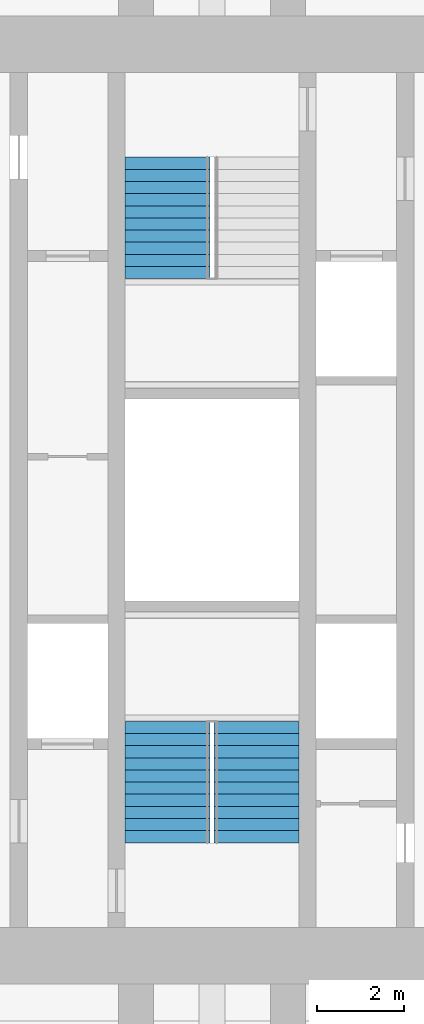
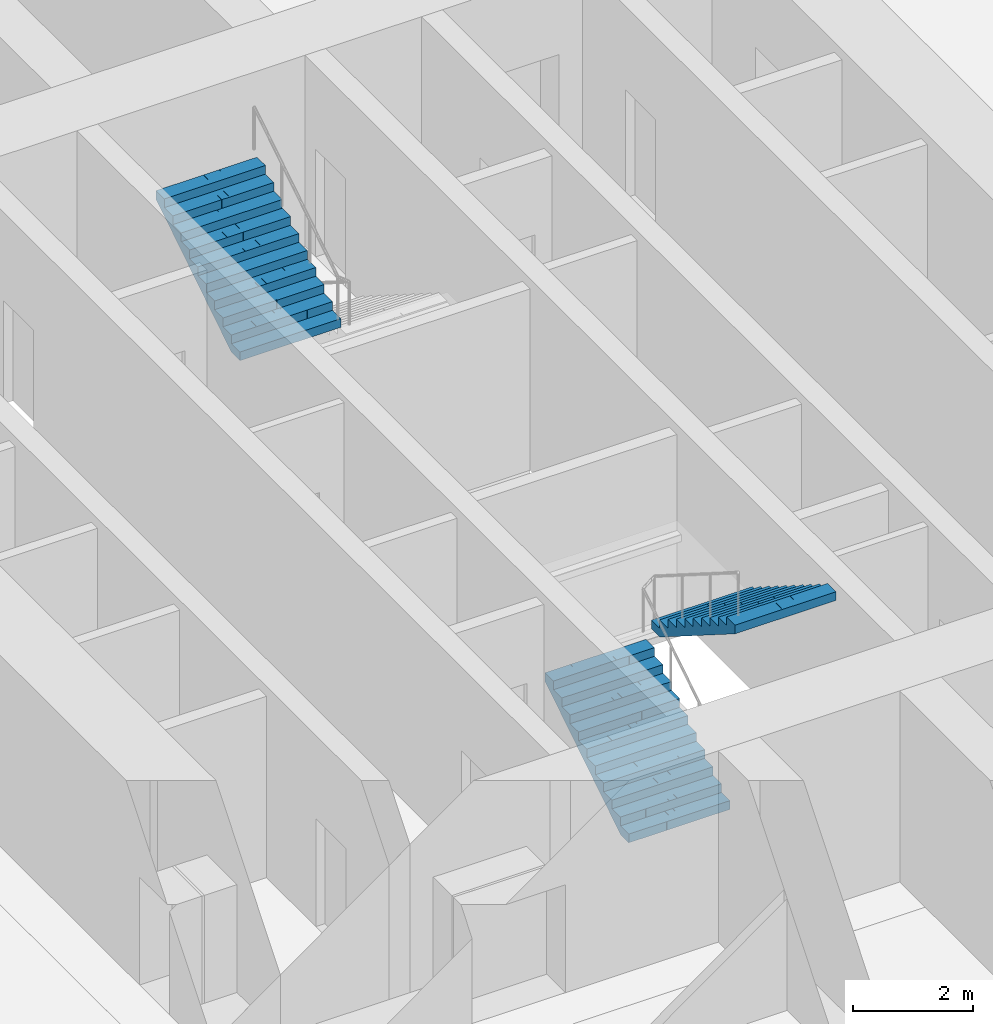
# One storey, part 20 of 22: 3 stair flights, 2 elements without a shape of their own.
"""IFC4 building model written with IfcOpenShell, lengths in metres."""

from ifc_helpers import new_model, si_unit, direction, frame, origin, place, context, subcontext, project, spatial, polyline, outline, extrude, material, type_object, element, aggregate, save


model = new_model("IFC4")

# Units and contexts
model_context = context("Model", 3, precision=1e-05, world=origin(), true_north=direction((0.0, 1.0)))
body_context = subcontext(model_context, "Body", "Model", "MODEL_VIEW")
ifc_project = project(units=[si_unit("LENGTHUNIT", "METRE"), si_unit("AREAUNIT", "SQUARE_METRE"), si_unit("VOLUMEUNIT", "CUBIC_METRE"), si_unit("PLANEANGLEUNIT", "RADIAN"), si_unit("MASSUNIT", "GRAM", prefix="KILO")], contexts=[model_context])

# Site, building, storey
site_placement = place(None, origin())
site = spatial("IfcSite", under=ifc_project, at=site_placement, CompositionType="ELEMENT")
building_placement = place(site_placement, origin())
building = spatial("IfcBuilding", under=site, at=building_placement, Name="Mizan Broadcast Tower", CompositionType="ELEMENT")
storey_placement = place(building_placement, frame((0.0, 0.0, 51.300048828125)))
storey = spatial("IfcBuildingStorey", under=building, at=storey_placement, Name="L09", CompositionType="ELEMENT", Elevation=51.300048828125)

# Stair, stair flights
ifc_material_1 = material(Name="Concrete C40/50", Category="concrete")
stair_type = type_object("IfcStairType", Name="EXIT STAIR", PredefinedType="HALF_TURN_STAIR", material=ifc_material_1)
stair_1_placement = place(storey_placement, origin())
stair_1 = element("IfcStair", 1, at=stair_1_placement, inside=storey, type_object=stair_type, Name="Stair A L09", PredefinedType="HALF_TURN_STAIR")
ifc_material_2 = material(Name="Concrete C40/50", Category="concrete")
stair_flight_type = type_object("IfcStairFlightType", Name="EXIT STAIR FLIGHT", PredefinedType="STRAIGHT", material=ifc_material_2)
stair_flight_1_placement = place(storey_placement, frame((-1.02490234375, -7.89990234375, 0.0), z_axis=(0.0, 0.0, 1.0), x_axis=(0.0, 1.0, 0.0)))
stair_flight_1 = element("IfcStairFlight", 2, at=stair_flight_1_placement, type_object=stair_flight_type, Name="A flight 1", NumberOfRisers=11, NumberOfTreads=10, PredefinedType="STRAIGHT", RiserHeight=0.177272727, TreadLength=0.28, context=body_context, shape_type="SweptSolid", body=[
    extrude(outline(polyline([(0.0, 0.0), (0.0, 0.17724609375), (0.280029296875, 0.17724609375), (0.280029296875, 0.3544921875), (0.56005859375, 0.3544921875), (0.56005859375, 0.53173828125), (0.840087890625, 0.53173828125), (0.840087890625, 0.708984375), (1.1201171875, 0.708984375), (1.1201171875, 0.886474609375), (1.39990234375, 0.886474609375), (1.39990234375, 1.063720703125), (1.679931640625, 1.063720703125), (1.679931640625, 1.240966796875), (1.9599609375, 1.240966796875), (1.9599609375, 1.418212890625), (2.239990234375, 1.418212890625), (2.239990234375, 1.595458984375), (2.52001953125, 1.595458984375), (2.52001953125, 1.772705078125), (2.800048828125, 1.772705078125), (2.800048828125, 1.949951171875), (2.800048828125, 1.59521484375), (0.2802734375, 0.0), (0.0, 0.0)])), frame((0.0, 0.97509765625, 0.0), z_axis=(0.0, -1.0, 0.0), x_axis=(1.0, 0.0, 0.0)), (0.0, 0.0, 1.0), 0.4873046875),
    extrude(outline(polyline([(0.0, 0.0), (0.0, 0.17724609375), (0.280029296875, 0.17724609375), (0.280029296875, 0.3544921875), (0.56005859375, 0.3544921875), (0.56005859375, 0.53173828125), (0.840087890625, 0.53173828125), (0.840087890625, 0.708984375), (1.1201171875, 0.708984375), (1.1201171875, 0.886474609375), (1.39990234375, 0.886474609375), (1.39990234375, 1.063720703125), (1.679931640625, 1.063720703125), (1.679931640625, 1.240966796875), (1.9599609375, 1.240966796875), (1.9599609375, 1.418212890625), (2.239990234375, 1.418212890625), (2.239990234375, 1.595458984375), (2.52001953125, 1.595458984375), (2.52001953125, 1.772705078125), (2.800048828125, 1.772705078125), (2.800048828125, 1.949951171875), (2.800048828125, 1.59521484375), (0.2802734375, 0.0), (0.0, 0.0)])), frame((0.0, 0.4873046875, 0.0), z_axis=(0.0, -1.0, 0.0), x_axis=(1.0, 0.0, 0.0)), (0.0, 0.0, 1.0), 0.2431640625),
    extrude(outline(polyline([(0.0, 0.0), (0.0, 0.17724609375), (0.280029296875, 0.17724609375), (0.280029296875, 0.3544921875), (0.56005859375, 0.3544921875), (0.56005859375, 0.53173828125), (0.840087890625, 0.53173828125), (0.840087890625, 0.708984375), (1.1201171875, 0.708984375), (1.1201171875, 0.886474609375), (1.39990234375, 0.886474609375), (1.39990234375, 1.063720703125), (1.679931640625, 1.063720703125), (1.679931640625, 1.240966796875), (1.9599609375, 1.240966796875), (1.9599609375, 1.418212890625), (2.239990234375, 1.418212890625), (2.239990234375, 1.595458984375), (2.52001953125, 1.595458984375), (2.52001953125, 1.772705078125), (2.800048828125, 1.772705078125), (2.800048828125, 1.949951171875), (2.800048828125, 1.59521484375), (0.2802734375, 0.0), (0.0, 0.0)])), frame((0.0, 0.24365234375, 0.0), z_axis=(0.0, -1.0, 0.0), x_axis=(1.0, 0.0, 0.0)), (0.0, 0.0, 1.0), 0.121337890625),
    extrude(outline(polyline([(0.0, 0.0), (0.0, 0.17724609375), (0.280029296875, 0.17724609375), (0.280029296875, 0.3544921875), (0.56005859375, 0.3544921875), (0.56005859375, 0.53173828125), (0.840087890625, 0.53173828125), (0.840087890625, 0.708984375), (1.1201171875, 0.708984375), (1.1201171875, 0.886474609375), (1.39990234375, 0.886474609375), (1.39990234375, 1.063720703125), (1.679931640625, 1.063720703125), (1.679931640625, 1.240966796875), (1.9599609375, 1.240966796875), (1.9599609375, 1.418212890625), (2.239990234375, 1.418212890625), (2.239990234375, 1.595458984375), (2.52001953125, 1.595458984375), (2.52001953125, 1.772705078125), (2.800048828125, 1.772705078125), (2.800048828125, 1.949951171875), (2.800048828125, 1.59521484375), (0.2802734375, 0.0), (0.0, 0.0)])), frame((0.0, 0.121826171875, 0.0), z_axis=(0.0, -1.0, 0.0), x_axis=(1.0, 0.0, 0.0)), (0.0, 0.0, 1.0), 0.060546875),
    extrude(outline(polyline([(0.0, 0.0), (0.0, 0.17724609375), (0.280029296875, 0.17724609375), (0.280029296875, 0.3544921875), (0.56005859375, 0.3544921875), (0.56005859375, 0.53173828125), (0.840087890625, 0.53173828125), (0.840087890625, 0.708984375), (1.1201171875, 0.708984375), (1.1201171875, 0.886474609375), (1.39990234375, 0.886474609375), (1.39990234375, 1.063720703125), (1.679931640625, 1.063720703125), (1.679931640625, 1.240966796875), (1.9599609375, 1.240966796875), (1.9599609375, 1.418212890625), (2.239990234375, 1.418212890625), (2.239990234375, 1.595458984375), (2.52001953125, 1.595458984375), (2.52001953125, 1.772705078125), (2.800048828125, 1.772705078125), (2.800048828125, 1.949951171875), (2.800048828125, 1.59521484375), (0.2802734375, 0.0), (0.0, 0.0)])), frame((0.0, 0.060791015625, 0.0), z_axis=(0.0, -1.0, 0.0), x_axis=(1.0, 0.0, 0.0)), (0.0, 0.0, 1.0), 0.030029296875),
    extrude(outline(polyline([(0.0, 0.0), (0.0, 0.17724609375), (0.280029296875, 0.17724609375), (0.280029296875, 0.3544921875), (0.56005859375, 0.3544921875), (0.56005859375, 0.53173828125), (0.840087890625, 0.53173828125), (0.840087890625, 0.708984375), (1.1201171875, 0.708984375), (1.1201171875, 0.886474609375), (1.39990234375, 0.886474609375), (1.39990234375, 1.063720703125), (1.679931640625, 1.063720703125), (1.679931640625, 1.240966796875), (1.9599609375, 1.240966796875), (1.9599609375, 1.418212890625), (2.239990234375, 1.418212890625), (2.239990234375, 1.595458984375), (2.52001953125, 1.595458984375), (2.52001953125, 1.772705078125), (2.800048828125, 1.772705078125), (2.800048828125, 1.949951171875), (2.800048828125, 1.59521484375), (0.2802734375, 0.0), (0.0, 0.0)])), frame((0.0, 0.0302734375, 0.0), z_axis=(0.0, -1.0, 0.0), x_axis=(1.0, 0.0, 0.0)), (0.0, 0.0, 1.0), 0.060302734375),
    extrude(outline(polyline([(0.0, 0.0), (0.0, 0.17724609375), (0.280029296875, 0.17724609375), (0.280029296875, 0.3544921875), (0.56005859375, 0.3544921875), (0.56005859375, 0.53173828125), (0.840087890625, 0.53173828125), (0.840087890625, 0.708984375), (1.1201171875, 0.708984375), (1.1201171875, 0.886474609375), (1.39990234375, 0.886474609375), (1.39990234375, 1.063720703125), (1.679931640625, 1.063720703125), (1.679931640625, 1.240966796875), (1.9599609375, 1.240966796875), (1.9599609375, 1.418212890625), (2.239990234375, 1.418212890625), (2.239990234375, 1.595458984375), (2.52001953125, 1.595458984375), (2.52001953125, 1.772705078125), (2.800048828125, 1.772705078125), (2.800048828125, 1.949951171875), (2.800048828125, 1.59521484375), (0.2802734375, 0.0), (0.0, 0.0)])), frame((0.0, -0.030517578125, 0.0), z_axis=(0.0, -1.0, 0.0), x_axis=(1.0, 0.0, 0.0)), (0.0, 0.0, 1.0), 0.030029296875),
    extrude(outline(polyline([(0.0, 0.0), (0.0, 0.17724609375), (0.280029296875, 0.17724609375), (0.280029296875, 0.3544921875), (0.56005859375, 0.3544921875), (0.56005859375, 0.53173828125), (0.840087890625, 0.53173828125), (0.840087890625, 0.708984375), (1.1201171875, 0.708984375), (1.1201171875, 0.886474609375), (1.39990234375, 0.886474609375), (1.39990234375, 1.063720703125), (1.679931640625, 1.063720703125), (1.679931640625, 1.240966796875), (1.9599609375, 1.240966796875), (1.9599609375, 1.418212890625), (2.239990234375, 1.418212890625), (2.239990234375, 1.595458984375), (2.52001953125, 1.595458984375), (2.52001953125, 1.772705078125), (2.800048828125, 1.772705078125), (2.800048828125, 1.949951171875), (2.800048828125, 1.59521484375), (0.2802734375, 0.0), (0.0, 0.0)])), frame((0.0, -0.06103515625, 0.0), z_axis=(0.0, -1.0, 0.0), x_axis=(1.0, 0.0, 0.0)), (0.0, 0.0, 1.0), 0.060546875),
    extrude(outline(polyline([(0.0, 0.0), (0.0, 0.17724609375), (0.280029296875, 0.17724609375), (0.280029296875, 0.3544921875), (0.56005859375, 0.3544921875), (0.56005859375, 0.53173828125), (0.840087890625, 0.53173828125), (0.840087890625, 0.708984375), (1.1201171875, 0.708984375), (1.1201171875, 0.886474609375), (1.39990234375, 0.886474609375), (1.39990234375, 1.063720703125), (1.679931640625, 1.063720703125), (1.679931640625, 1.240966796875), (1.9599609375, 1.240966796875), (1.9599609375, 1.418212890625), (2.239990234375, 1.418212890625), (2.239990234375, 1.595458984375), (2.52001953125, 1.595458984375), (2.52001953125, 1.772705078125), (2.800048828125, 1.772705078125), (2.800048828125, 1.949951171875), (2.800048828125, 1.59521484375), (0.2802734375, 0.0), (0.0, 0.0)])), frame((0.0, -0.1220703125, 0.0), z_axis=(0.0, -1.0, 0.0), x_axis=(1.0, 0.0, 0.0)), (0.0, 0.0, 1.0), 0.121337890625),
    extrude(outline(polyline([(0.0, 0.0), (0.0, 0.17724609375), (0.280029296875, 0.17724609375), (0.280029296875, 0.3544921875), (0.56005859375, 0.3544921875), (0.56005859375, 0.53173828125), (0.840087890625, 0.53173828125), (0.840087890625, 0.708984375), (1.1201171875, 0.708984375), (1.1201171875, 0.886474609375), (1.39990234375, 0.886474609375), (1.39990234375, 1.063720703125), (1.679931640625, 1.063720703125), (1.679931640625, 1.240966796875), (1.9599609375, 1.240966796875), (1.9599609375, 1.418212890625), (2.239990234375, 1.418212890625), (2.239990234375, 1.595458984375), (2.52001953125, 1.595458984375), (2.52001953125, 1.772705078125), (2.800048828125, 1.772705078125), (2.800048828125, 1.949951171875), (2.800048828125, 1.59521484375), (0.2802734375, 0.0), (0.0, 0.0)])), frame((0.0, -0.243896484375, 0.0), z_axis=(0.0, -1.0, 0.0), x_axis=(1.0, 0.0, 0.0)), (0.0, 0.0, 1.0), 0.2431640625),
    extrude(outline(polyline([(0.0, 0.0), (0.0, 0.17724609375), (0.280029296875, 0.17724609375), (0.280029296875, 0.3544921875), (0.56005859375, 0.3544921875), (0.56005859375, 0.53173828125), (0.840087890625, 0.53173828125), (0.840087890625, 0.708984375), (1.1201171875, 0.708984375), (1.1201171875, 0.886474609375), (1.39990234375, 0.886474609375), (1.39990234375, 1.063720703125), (1.679931640625, 1.063720703125), (1.679931640625, 1.240966796875), (1.9599609375, 1.240966796875), (1.9599609375, 1.418212890625), (2.239990234375, 1.418212890625), (2.239990234375, 1.595458984375), (2.52001953125, 1.595458984375), (2.52001953125, 1.772705078125), (2.800048828125, 1.772705078125), (2.800048828125, 1.949951171875), (2.800048828125, 1.59521484375), (0.2802734375, 0.0), (0.0, 0.0)])), frame((0.0, -0.487548828125, 0.0), z_axis=(0.0, -1.0, 0.0), x_axis=(1.0, 0.0, 0.0)), (0.0, 0.0, 1.0), 0.4873046875),
])
stair_flight_2_placement = place(storey_placement, frame((1.02490234375, -5.10009765625, 1.949951171875), z_axis=(0.0, 0.0, 1.0), x_axis=(0.0, -1.0, 0.0)))
stair_flight_2 = element("IfcStairFlight", 3, at=stair_flight_2_placement, type_object=stair_flight_type, Name="A flight 2", NumberOfRisers=11, NumberOfTreads=10, PredefinedType="STRAIGHT", RiserHeight=0.177272727, TreadLength=0.28, context=body_context, shape_type="SweptSolid", body=[
    extrude(outline(polyline([(0.0, 0.0), (0.0, 0.17724609375), (0.280029296875, 0.17724609375), (0.280029296875, 0.3544921875), (0.56005859375, 0.3544921875), (0.56005859375, 0.53173828125), (0.840087890625, 0.53173828125), (0.840087890625, 0.708984375), (1.1201171875, 0.708984375), (1.1201171875, 0.886474609375), (1.39990234375, 0.886474609375), (1.39990234375, 1.063720703125), (1.679931640625, 1.063720703125), (1.679931640625, 1.240966796875), (1.9599609375, 1.240966796875), (1.9599609375, 1.418212890625), (2.239990234375, 1.418212890625), (2.239990234375, 1.595458984375), (2.52001953125, 1.595458984375), (2.52001953125, 1.772705078125), (2.800048828125, 1.772705078125), (2.800048828125, 1.949951171875), (2.800048828125, 1.59521484375), (0.2802734375, 0.0), (0.0, 0.0)])), frame((0.0, 0.97509765625, 0.0), z_axis=(0.0, -1.0, 0.0), x_axis=(1.0, 0.0, 0.0)), (0.0, 0.0, 1.0), 0.4873046875),
    extrude(outline(polyline([(0.0, 0.0), (0.0, 0.17724609375), (0.280029296875, 0.17724609375), (0.280029296875, 0.3544921875), (0.56005859375, 0.3544921875), (0.56005859375, 0.53173828125), (0.840087890625, 0.53173828125), (0.840087890625, 0.708984375), (1.1201171875, 0.708984375), (1.1201171875, 0.886474609375), (1.39990234375, 0.886474609375), (1.39990234375, 1.063720703125), (1.679931640625, 1.063720703125), (1.679931640625, 1.240966796875), (1.9599609375, 1.240966796875), (1.9599609375, 1.418212890625), (2.239990234375, 1.418212890625), (2.239990234375, 1.595458984375), (2.52001953125, 1.595458984375), (2.52001953125, 1.772705078125), (2.800048828125, 1.772705078125), (2.800048828125, 1.949951171875), (2.800048828125, 1.59521484375), (0.2802734375, 0.0), (0.0, 0.0)])), frame((0.0, 0.4873046875, 0.0), z_axis=(0.0, -1.0, 0.0), x_axis=(1.0, 0.0, 0.0)), (0.0, 0.0, 1.0), 0.2431640625),
    extrude(outline(polyline([(0.0, 0.0), (0.0, 0.17724609375), (0.280029296875, 0.17724609375), (0.280029296875, 0.3544921875), (0.56005859375, 0.3544921875), (0.56005859375, 0.53173828125), (0.840087890625, 0.53173828125), (0.840087890625, 0.708984375), (1.1201171875, 0.708984375), (1.1201171875, 0.886474609375), (1.39990234375, 0.886474609375), (1.39990234375, 1.063720703125), (1.679931640625, 1.063720703125), (1.679931640625, 1.240966796875), (1.9599609375, 1.240966796875), (1.9599609375, 1.418212890625), (2.239990234375, 1.418212890625), (2.239990234375, 1.595458984375), (2.52001953125, 1.595458984375), (2.52001953125, 1.772705078125), (2.800048828125, 1.772705078125), (2.800048828125, 1.949951171875), (2.800048828125, 1.59521484375), (0.2802734375, 0.0), (0.0, 0.0)])), frame((0.0, 0.24365234375, 0.0), z_axis=(0.0, -1.0, 0.0), x_axis=(1.0, 0.0, 0.0)), (0.0, 0.0, 1.0), 0.121337890625),
    extrude(outline(polyline([(0.0, 0.0), (0.0, 0.17724609375), (0.280029296875, 0.17724609375), (0.280029296875, 0.3544921875), (0.56005859375, 0.3544921875), (0.56005859375, 0.53173828125), (0.840087890625, 0.53173828125), (0.840087890625, 0.708984375), (1.1201171875, 0.708984375), (1.1201171875, 0.886474609375), (1.39990234375, 0.886474609375), (1.39990234375, 1.063720703125), (1.679931640625, 1.063720703125), (1.679931640625, 1.240966796875), (1.9599609375, 1.240966796875), (1.9599609375, 1.418212890625), (2.239990234375, 1.418212890625), (2.239990234375, 1.595458984375), (2.52001953125, 1.595458984375), (2.52001953125, 1.772705078125), (2.800048828125, 1.772705078125), (2.800048828125, 1.949951171875), (2.800048828125, 1.59521484375), (0.2802734375, 0.0), (0.0, 0.0)])), frame((0.0, 0.121826171875, 0.0), z_axis=(0.0, -1.0, 0.0), x_axis=(1.0, 0.0, 0.0)), (0.0, 0.0, 1.0), 0.060546875),
    extrude(outline(polyline([(0.0, 0.0), (0.0, 0.17724609375), (0.280029296875, 0.17724609375), (0.280029296875, 0.3544921875), (0.56005859375, 0.3544921875), (0.56005859375, 0.53173828125), (0.840087890625, 0.53173828125), (0.840087890625, 0.708984375), (1.1201171875, 0.708984375), (1.1201171875, 0.886474609375), (1.39990234375, 0.886474609375), (1.39990234375, 1.063720703125), (1.679931640625, 1.063720703125), (1.679931640625, 1.240966796875), (1.9599609375, 1.240966796875), (1.9599609375, 1.418212890625), (2.239990234375, 1.418212890625), (2.239990234375, 1.595458984375), (2.52001953125, 1.595458984375), (2.52001953125, 1.772705078125), (2.800048828125, 1.772705078125), (2.800048828125, 1.949951171875), (2.800048828125, 1.59521484375), (0.2802734375, 0.0), (0.0, 0.0)])), frame((0.0, 0.060791015625, 0.0), z_axis=(0.0, -1.0, 0.0), x_axis=(1.0, 0.0, 0.0)), (0.0, 0.0, 1.0), 0.030029296875),
    extrude(outline(polyline([(0.0, 0.0), (0.0, 0.17724609375), (0.280029296875, 0.17724609375), (0.280029296875, 0.3544921875), (0.56005859375, 0.3544921875), (0.56005859375, 0.53173828125), (0.840087890625, 0.53173828125), (0.840087890625, 0.708984375), (1.1201171875, 0.708984375), (1.1201171875, 0.886474609375), (1.39990234375, 0.886474609375), (1.39990234375, 1.063720703125), (1.679931640625, 1.063720703125), (1.679931640625, 1.240966796875), (1.9599609375, 1.240966796875), (1.9599609375, 1.418212890625), (2.239990234375, 1.418212890625), (2.239990234375, 1.595458984375), (2.52001953125, 1.595458984375), (2.52001953125, 1.772705078125), (2.800048828125, 1.772705078125), (2.800048828125, 1.949951171875), (2.800048828125, 1.59521484375), (0.2802734375, 0.0), (0.0, 0.0)])), frame((0.0, 0.0302734375, 0.0), z_axis=(0.0, -1.0, 0.0), x_axis=(1.0, 0.0, 0.0)), (0.0, 0.0, 1.0), 0.060302734375),
    extrude(outline(polyline([(0.0, 0.0), (0.0, 0.17724609375), (0.280029296875, 0.17724609375), (0.280029296875, 0.3544921875), (0.56005859375, 0.3544921875), (0.56005859375, 0.53173828125), (0.840087890625, 0.53173828125), (0.840087890625, 0.708984375), (1.1201171875, 0.708984375), (1.1201171875, 0.886474609375), (1.39990234375, 0.886474609375), (1.39990234375, 1.063720703125), (1.679931640625, 1.063720703125), (1.679931640625, 1.240966796875), (1.9599609375, 1.240966796875), (1.9599609375, 1.418212890625), (2.239990234375, 1.418212890625), (2.239990234375, 1.595458984375), (2.52001953125, 1.595458984375), (2.52001953125, 1.772705078125), (2.800048828125, 1.772705078125), (2.800048828125, 1.949951171875), (2.800048828125, 1.59521484375), (0.2802734375, 0.0), (0.0, 0.0)])), frame((0.0, -0.030517578125, 0.0), z_axis=(0.0, -1.0, 0.0), x_axis=(1.0, 0.0, 0.0)), (0.0, 0.0, 1.0), 0.030029296875),
    extrude(outline(polyline([(0.0, 0.0), (0.0, 0.17724609375), (0.280029296875, 0.17724609375), (0.280029296875, 0.3544921875), (0.56005859375, 0.3544921875), (0.56005859375, 0.53173828125), (0.840087890625, 0.53173828125), (0.840087890625, 0.708984375), (1.1201171875, 0.708984375), (1.1201171875, 0.886474609375), (1.39990234375, 0.886474609375), (1.39990234375, 1.063720703125), (1.679931640625, 1.063720703125), (1.679931640625, 1.240966796875), (1.9599609375, 1.240966796875), (1.9599609375, 1.418212890625), (2.239990234375, 1.418212890625), (2.239990234375, 1.595458984375), (2.52001953125, 1.595458984375), (2.52001953125, 1.772705078125), (2.800048828125, 1.772705078125), (2.800048828125, 1.949951171875), (2.800048828125, 1.59521484375), (0.2802734375, 0.0), (0.0, 0.0)])), frame((0.0, -0.06103515625, 0.0), z_axis=(0.0, -1.0, 0.0), x_axis=(1.0, 0.0, 0.0)), (0.0, 0.0, 1.0), 0.060546875),
    extrude(outline(polyline([(0.0, 0.0), (0.0, 0.17724609375), (0.280029296875, 0.17724609375), (0.280029296875, 0.3544921875), (0.56005859375, 0.3544921875), (0.56005859375, 0.53173828125), (0.840087890625, 0.53173828125), (0.840087890625, 0.708984375), (1.1201171875, 0.708984375), (1.1201171875, 0.886474609375), (1.39990234375, 0.886474609375), (1.39990234375, 1.063720703125), (1.679931640625, 1.063720703125), (1.679931640625, 1.240966796875), (1.9599609375, 1.240966796875), (1.9599609375, 1.418212890625), (2.239990234375, 1.418212890625), (2.239990234375, 1.595458984375), (2.52001953125, 1.595458984375), (2.52001953125, 1.772705078125), (2.800048828125, 1.772705078125), (2.800048828125, 1.949951171875), (2.800048828125, 1.59521484375), (0.2802734375, 0.0), (0.0, 0.0)])), frame((0.0, -0.1220703125, 0.0), z_axis=(0.0, -1.0, 0.0), x_axis=(1.0, 0.0, 0.0)), (0.0, 0.0, 1.0), 0.121337890625),
    extrude(outline(polyline([(0.0, 0.0), (0.0, 0.17724609375), (0.280029296875, 0.17724609375), (0.280029296875, 0.3544921875), (0.56005859375, 0.3544921875), (0.56005859375, 0.53173828125), (0.840087890625, 0.53173828125), (0.840087890625, 0.708984375), (1.1201171875, 0.708984375), (1.1201171875, 0.886474609375), (1.39990234375, 0.886474609375), (1.39990234375, 1.063720703125), (1.679931640625, 1.063720703125), (1.679931640625, 1.240966796875), (1.9599609375, 1.240966796875), (1.9599609375, 1.418212890625), (2.239990234375, 1.418212890625), (2.239990234375, 1.595458984375), (2.52001953125, 1.595458984375), (2.52001953125, 1.772705078125), (2.800048828125, 1.772705078125), (2.800048828125, 1.949951171875), (2.800048828125, 1.59521484375), (0.2802734375, 0.0), (0.0, 0.0)])), frame((0.0, -0.243896484375, 0.0), z_axis=(0.0, -1.0, 0.0), x_axis=(1.0, 0.0, 0.0)), (0.0, 0.0, 1.0), 0.2431640625),
    extrude(outline(polyline([(0.0, 0.0), (0.0, 0.17724609375), (0.280029296875, 0.17724609375), (0.280029296875, 0.3544921875), (0.56005859375, 0.3544921875), (0.56005859375, 0.53173828125), (0.840087890625, 0.53173828125), (0.840087890625, 0.708984375), (1.1201171875, 0.708984375), (1.1201171875, 0.886474609375), (1.39990234375, 0.886474609375), (1.39990234375, 1.063720703125), (1.679931640625, 1.063720703125), (1.679931640625, 1.240966796875), (1.9599609375, 1.240966796875), (1.9599609375, 1.418212890625), (2.239990234375, 1.418212890625), (2.239990234375, 1.595458984375), (2.52001953125, 1.595458984375), (2.52001953125, 1.772705078125), (2.800048828125, 1.772705078125), (2.800048828125, 1.949951171875), (2.800048828125, 1.59521484375), (0.2802734375, 0.0), (0.0, 0.0)])), frame((0.0, -0.487548828125, 0.0), z_axis=(0.0, -1.0, 0.0), x_axis=(1.0, 0.0, 0.0)), (0.0, 0.0, 1.0), 0.4873046875),
])
aggregate(stair_1, [stair_flight_1, stair_flight_2])

# Stair, stair flight
stair_2_placement = place(storey_placement, origin())
stair_2 = element("IfcStair", 4, at=stair_2_placement, inside=storey, type_object=stair_type, Name="Stair B L09", PredefinedType="HALF_TURN_STAIR")
stair_flight_3_placement = place(storey_placement, frame((-1.02490234375, 5.10009765625, 1.949951171875), z_axis=(0.0, 0.0, 1.0), x_axis=(0.0, 1.0, 0.0)))
stair_flight_3 = element("IfcStairFlight", 5, at=stair_flight_3_placement, type_object=stair_flight_type, Name="B flight 2", NumberOfRisers=11, NumberOfTreads=10, PredefinedType="STRAIGHT", RiserHeight=0.177272727, TreadLength=0.28, context=body_context, shape_type="SweptSolid", body=[
    extrude(outline(polyline([(0.0, 0.0), (0.0, 0.17724609375), (0.280029296875, 0.17724609375), (0.280029296875, 0.3544921875), (0.56005859375, 0.3544921875), (0.56005859375, 0.53173828125), (0.840087890625, 0.53173828125), (0.840087890625, 0.708984375), (1.1201171875, 0.708984375), (1.1201171875, 0.886474609375), (1.39990234375, 0.886474609375), (1.39990234375, 1.063720703125), (1.679931640625, 1.063720703125), (1.679931640625, 1.240966796875), (1.9599609375, 1.240966796875), (1.9599609375, 1.418212890625), (2.239990234375, 1.418212890625), (2.239990234375, 1.595458984375), (2.52001953125, 1.595458984375), (2.52001953125, 1.772705078125), (2.800048828125, 1.772705078125), (2.800048828125, 1.949951171875), (2.800048828125, 1.59521484375), (0.2802734375, 0.0), (0.0, 0.0)])), frame((0.0, 0.97509765625, 0.0), z_axis=(0.0, -1.0, 0.0), x_axis=(1.0, 0.0, 0.0)), (0.0, 0.0, 1.0), 0.4873046875),
    extrude(outline(polyline([(0.0, 0.0), (0.0, 0.17724609375), (0.280029296875, 0.17724609375), (0.280029296875, 0.3544921875), (0.56005859375, 0.3544921875), (0.56005859375, 0.53173828125), (0.840087890625, 0.53173828125), (0.840087890625, 0.708984375), (1.1201171875, 0.708984375), (1.1201171875, 0.886474609375), (1.39990234375, 0.886474609375), (1.39990234375, 1.063720703125), (1.679931640625, 1.063720703125), (1.679931640625, 1.240966796875), (1.9599609375, 1.240966796875), (1.9599609375, 1.418212890625), (2.239990234375, 1.418212890625), (2.239990234375, 1.595458984375), (2.52001953125, 1.595458984375), (2.52001953125, 1.772705078125), (2.800048828125, 1.772705078125), (2.800048828125, 1.949951171875), (2.800048828125, 1.59521484375), (0.2802734375, 0.0), (0.0, 0.0)])), frame((0.0, 0.4873046875, 0.0), z_axis=(0.0, -1.0, 0.0), x_axis=(1.0, 0.0, 0.0)), (0.0, 0.0, 1.0), 0.2431640625),
    extrude(outline(polyline([(0.0, 0.0), (0.0, 0.17724609375), (0.280029296875, 0.17724609375), (0.280029296875, 0.3544921875), (0.56005859375, 0.3544921875), (0.56005859375, 0.53173828125), (0.840087890625, 0.53173828125), (0.840087890625, 0.708984375), (1.1201171875, 0.708984375), (1.1201171875, 0.886474609375), (1.39990234375, 0.886474609375), (1.39990234375, 1.063720703125), (1.679931640625, 1.063720703125), (1.679931640625, 1.240966796875), (1.9599609375, 1.240966796875), (1.9599609375, 1.418212890625), (2.239990234375, 1.418212890625), (2.239990234375, 1.595458984375), (2.52001953125, 1.595458984375), (2.52001953125, 1.772705078125), (2.800048828125, 1.772705078125), (2.800048828125, 1.949951171875), (2.800048828125, 1.59521484375), (0.2802734375, 0.0), (0.0, 0.0)])), frame((0.0, 0.24365234375, 0.0), z_axis=(0.0, -1.0, 0.0), x_axis=(1.0, 0.0, 0.0)), (0.0, 0.0, 1.0), 0.121337890625),
    extrude(outline(polyline([(0.0, 0.0), (0.0, 0.17724609375), (0.280029296875, 0.17724609375), (0.280029296875, 0.3544921875), (0.56005859375, 0.3544921875), (0.56005859375, 0.53173828125), (0.840087890625, 0.53173828125), (0.840087890625, 0.708984375), (1.1201171875, 0.708984375), (1.1201171875, 0.886474609375), (1.39990234375, 0.886474609375), (1.39990234375, 1.063720703125), (1.679931640625, 1.063720703125), (1.679931640625, 1.240966796875), (1.9599609375, 1.240966796875), (1.9599609375, 1.418212890625), (2.239990234375, 1.418212890625), (2.239990234375, 1.595458984375), (2.52001953125, 1.595458984375), (2.52001953125, 1.772705078125), (2.800048828125, 1.772705078125), (2.800048828125, 1.949951171875), (2.800048828125, 1.59521484375), (0.2802734375, 0.0), (0.0, 0.0)])), frame((0.0, 0.121826171875, 0.0), z_axis=(0.0, -1.0, 0.0), x_axis=(1.0, 0.0, 0.0)), (0.0, 0.0, 1.0), 0.060546875),
    extrude(outline(polyline([(0.0, 0.0), (0.0, 0.17724609375), (0.280029296875, 0.17724609375), (0.280029296875, 0.3544921875), (0.56005859375, 0.3544921875), (0.56005859375, 0.53173828125), (0.840087890625, 0.53173828125), (0.840087890625, 0.708984375), (1.1201171875, 0.708984375), (1.1201171875, 0.886474609375), (1.39990234375, 0.886474609375), (1.39990234375, 1.063720703125), (1.679931640625, 1.063720703125), (1.679931640625, 1.240966796875), (1.9599609375, 1.240966796875), (1.9599609375, 1.418212890625), (2.239990234375, 1.418212890625), (2.239990234375, 1.595458984375), (2.52001953125, 1.595458984375), (2.52001953125, 1.772705078125), (2.800048828125, 1.772705078125), (2.800048828125, 1.949951171875), (2.800048828125, 1.59521484375), (0.2802734375, 0.0), (0.0, 0.0)])), frame((0.0, 0.060791015625, 0.0), z_axis=(0.0, -1.0, 0.0), x_axis=(1.0, 0.0, 0.0)), (0.0, 0.0, 1.0), 0.030029296875),
    extrude(outline(polyline([(0.0, 0.0), (0.0, 0.17724609375), (0.280029296875, 0.17724609375), (0.280029296875, 0.3544921875), (0.56005859375, 0.3544921875), (0.56005859375, 0.53173828125), (0.840087890625, 0.53173828125), (0.840087890625, 0.708984375), (1.1201171875, 0.708984375), (1.1201171875, 0.886474609375), (1.39990234375, 0.886474609375), (1.39990234375, 1.063720703125), (1.679931640625, 1.063720703125), (1.679931640625, 1.240966796875), (1.9599609375, 1.240966796875), (1.9599609375, 1.418212890625), (2.239990234375, 1.418212890625), (2.239990234375, 1.595458984375), (2.52001953125, 1.595458984375), (2.52001953125, 1.772705078125), (2.800048828125, 1.772705078125), (2.800048828125, 1.949951171875), (2.800048828125, 1.59521484375), (0.2802734375, 0.0), (0.0, 0.0)])), frame((0.0, 0.0302734375, 0.0), z_axis=(0.0, -1.0, 0.0), x_axis=(1.0, 0.0, 0.0)), (0.0, 0.0, 1.0), 0.060302734375),
    extrude(outline(polyline([(0.0, 0.0), (0.0, 0.17724609375), (0.280029296875, 0.17724609375), (0.280029296875, 0.3544921875), (0.56005859375, 0.3544921875), (0.56005859375, 0.53173828125), (0.840087890625, 0.53173828125), (0.840087890625, 0.708984375), (1.1201171875, 0.708984375), (1.1201171875, 0.886474609375), (1.39990234375, 0.886474609375), (1.39990234375, 1.063720703125), (1.679931640625, 1.063720703125), (1.679931640625, 1.240966796875), (1.9599609375, 1.240966796875), (1.9599609375, 1.418212890625), (2.239990234375, 1.418212890625), (2.239990234375, 1.595458984375), (2.52001953125, 1.595458984375), (2.52001953125, 1.772705078125), (2.800048828125, 1.772705078125), (2.800048828125, 1.949951171875), (2.800048828125, 1.59521484375), (0.2802734375, 0.0), (0.0, 0.0)])), frame((0.0, -0.030517578125, 0.0), z_axis=(0.0, -1.0, 0.0), x_axis=(1.0, 0.0, 0.0)), (0.0, 0.0, 1.0), 0.030029296875),
    extrude(outline(polyline([(0.0, 0.0), (0.0, 0.17724609375), (0.280029296875, 0.17724609375), (0.280029296875, 0.3544921875), (0.56005859375, 0.3544921875), (0.56005859375, 0.53173828125), (0.840087890625, 0.53173828125), (0.840087890625, 0.708984375), (1.1201171875, 0.708984375), (1.1201171875, 0.886474609375), (1.39990234375, 0.886474609375), (1.39990234375, 1.063720703125), (1.679931640625, 1.063720703125), (1.679931640625, 1.240966796875), (1.9599609375, 1.240966796875), (1.9599609375, 1.418212890625), (2.239990234375, 1.418212890625), (2.239990234375, 1.595458984375), (2.52001953125, 1.595458984375), (2.52001953125, 1.772705078125), (2.800048828125, 1.772705078125), (2.800048828125, 1.949951171875), (2.800048828125, 1.59521484375), (0.2802734375, 0.0), (0.0, 0.0)])), frame((0.0, -0.06103515625, 0.0), z_axis=(0.0, -1.0, 0.0), x_axis=(1.0, 0.0, 0.0)), (0.0, 0.0, 1.0), 0.060546875),
    extrude(outline(polyline([(0.0, 0.0), (0.0, 0.17724609375), (0.280029296875, 0.17724609375), (0.280029296875, 0.3544921875), (0.56005859375, 0.3544921875), (0.56005859375, 0.53173828125), (0.840087890625, 0.53173828125), (0.840087890625, 0.708984375), (1.1201171875, 0.708984375), (1.1201171875, 0.886474609375), (1.39990234375, 0.886474609375), (1.39990234375, 1.063720703125), (1.679931640625, 1.063720703125), (1.679931640625, 1.240966796875), (1.9599609375, 1.240966796875), (1.9599609375, 1.418212890625), (2.239990234375, 1.418212890625), (2.239990234375, 1.595458984375), (2.52001953125, 1.595458984375), (2.52001953125, 1.772705078125), (2.800048828125, 1.772705078125), (2.800048828125, 1.949951171875), (2.800048828125, 1.59521484375), (0.2802734375, 0.0), (0.0, 0.0)])), frame((0.0, -0.1220703125, 0.0), z_axis=(0.0, -1.0, 0.0), x_axis=(1.0, 0.0, 0.0)), (0.0, 0.0, 1.0), 0.121337890625),
    extrude(outline(polyline([(0.0, 0.0), (0.0, 0.17724609375), (0.280029296875, 0.17724609375), (0.280029296875, 0.3544921875), (0.56005859375, 0.3544921875), (0.56005859375, 0.53173828125), (0.840087890625, 0.53173828125), (0.840087890625, 0.708984375), (1.1201171875, 0.708984375), (1.1201171875, 0.886474609375), (1.39990234375, 0.886474609375), (1.39990234375, 1.063720703125), (1.679931640625, 1.063720703125), (1.679931640625, 1.240966796875), (1.9599609375, 1.240966796875), (1.9599609375, 1.418212890625), (2.239990234375, 1.418212890625), (2.239990234375, 1.595458984375), (2.52001953125, 1.595458984375), (2.52001953125, 1.772705078125), (2.800048828125, 1.772705078125), (2.800048828125, 1.949951171875), (2.800048828125, 1.59521484375), (0.2802734375, 0.0), (0.0, 0.0)])), frame((0.0, -0.243896484375, 0.0), z_axis=(0.0, -1.0, 0.0), x_axis=(1.0, 0.0, 0.0)), (0.0, 0.0, 1.0), 0.2431640625),
    extrude(outline(polyline([(0.0, 0.0), (0.0, 0.17724609375), (0.280029296875, 0.17724609375), (0.280029296875, 0.3544921875), (0.56005859375, 0.3544921875), (0.56005859375, 0.53173828125), (0.840087890625, 0.53173828125), (0.840087890625, 0.708984375), (1.1201171875, 0.708984375), (1.1201171875, 0.886474609375), (1.39990234375, 0.886474609375), (1.39990234375, 1.063720703125), (1.679931640625, 1.063720703125), (1.679931640625, 1.240966796875), (1.9599609375, 1.240966796875), (1.9599609375, 1.418212890625), (2.239990234375, 1.418212890625), (2.239990234375, 1.595458984375), (2.52001953125, 1.595458984375), (2.52001953125, 1.772705078125), (2.800048828125, 1.772705078125), (2.800048828125, 1.949951171875), (2.800048828125, 1.59521484375), (0.2802734375, 0.0), (0.0, 0.0)])), frame((0.0, -0.487548828125, 0.0), z_axis=(0.0, -1.0, 0.0), x_axis=(1.0, 0.0, 0.0)), (0.0, 0.0, 1.0), 0.4873046875),
])
aggregate(stair_2, [stair_flight_3])

save(model, "model.ifc")
